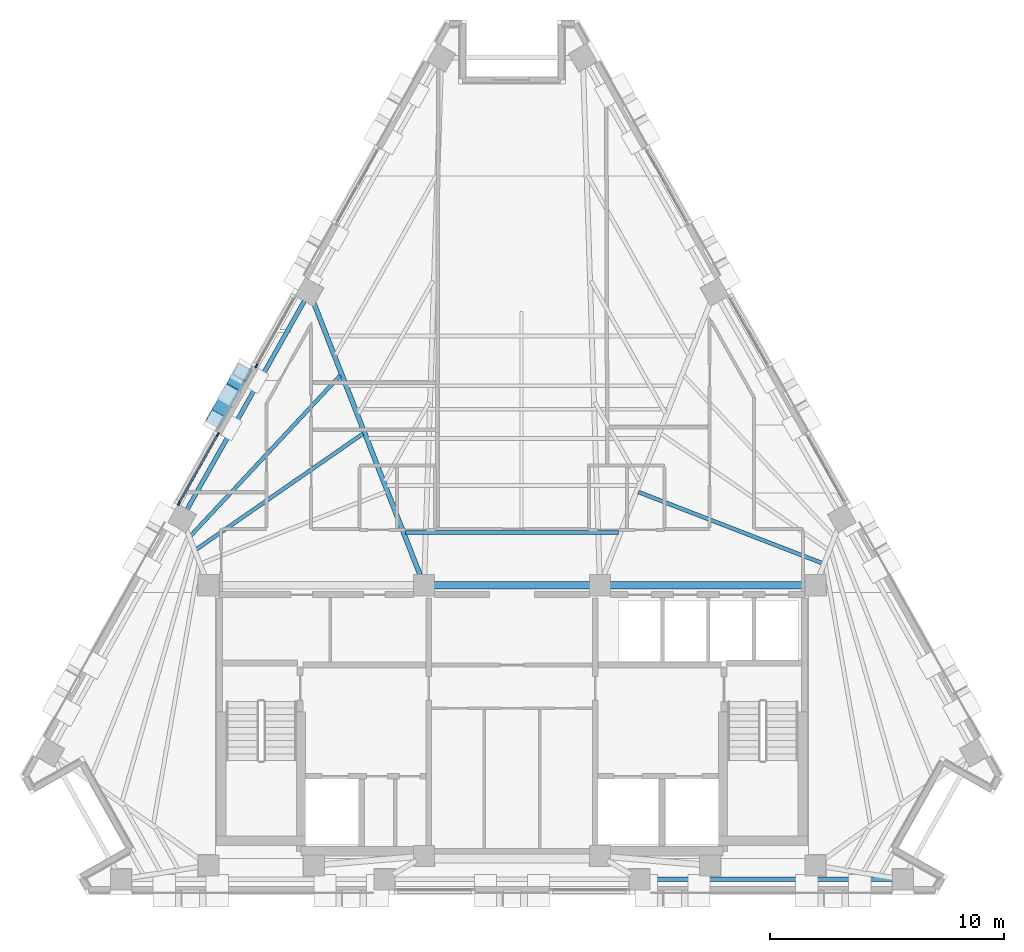
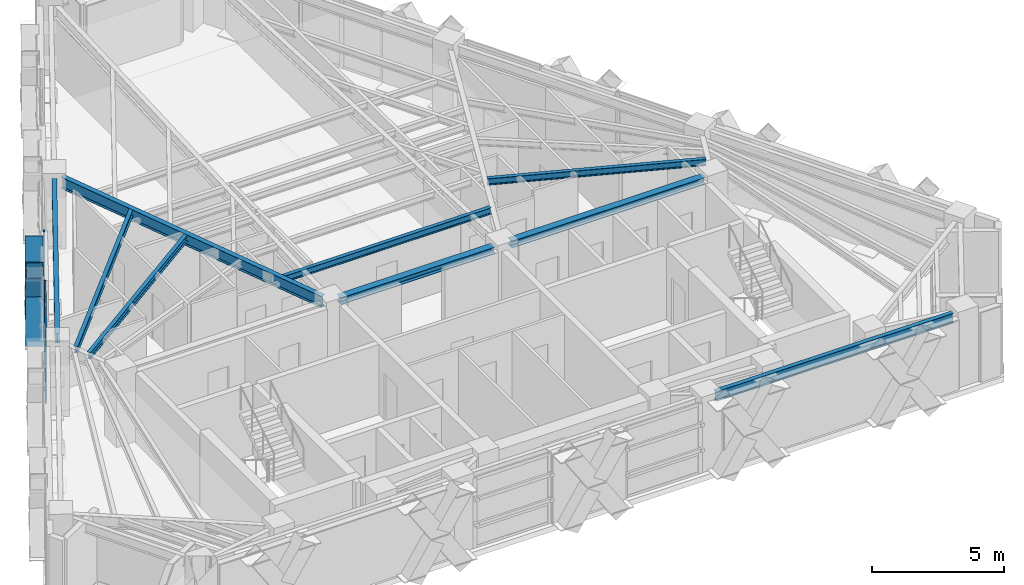
# One storey, part 3 of 13: 9 beams, 9 members, 2 elements without a shape of their own.
"""IFC4 building model written with IfcOpenShell, lengths in metres."""

from ifc_helpers import new_model, si_unit, direction, frame, origin, origin_2d, place, context, subcontext, project, spatial, rectangle, hollow_rectangle, i_section, extrude, material, material_profile, profile_set, type_object, element, aggregate, save


model = new_model("IFC4")

# Units and contexts
model_context = context("Model", 3, precision=1e-05, world=origin(), true_north=direction((0.0, 1.0)))
body_context = subcontext(model_context, "Body", "Model", "MODEL_VIEW")
ifc_project = project(units=[si_unit("LENGTHUNIT", "METRE"), si_unit("AREAUNIT", "SQUARE_METRE"), si_unit("VOLUMEUNIT", "CUBIC_METRE"), si_unit("PLANEANGLEUNIT", "RADIAN"), si_unit("MASSUNIT", "GRAM", prefix="KILO")], contexts=[model_context])

# Site, building, storey
site_placement = place(None, origin())
site = spatial("IfcSite", under=ifc_project, at=site_placement, CompositionType="ELEMENT")
building_placement = place(site_placement, origin())
building = spatial("IfcBuilding", under=site, at=building_placement, Name="Quenlor Broadcast Tower", CompositionType="ELEMENT")
storey_placement = place(building_placement, frame((0.0, 0.0, 214.89990234375)))
storey = spatial("IfcBuildingStorey", under=building, at=storey_placement, Name="L59", CompositionType="ELEMENT", Elevation=214.89990234375)

# Curtain wall, members
ifc_material_1 = material(Name="Architectural Terracotta and Low-E Glazing", Category="masonry")
curtain_wall_type = type_object("IfcCurtainWallType", Name="Unitised Terracotta Curtain Wall System Z4", PredefinedType="NOTDEFINED", material=ifc_material_1)
curtain_wall_1_placement = place(storey_placement, origin())
curtain_wall_1 = element("IfcCurtainWall", 1, at=curtain_wall_1_placement, inside=storey, type_object=curtain_wall_type, Name="L59 Curtain Wall CW4 (L59-NW-G1)", PredefinedType="NOTDEFINED")
ifc_material_2 = material(Name="Aluminium 6063-T6", Category="aluminium")
ifc_material_profile_1 = material_profile(ifc_material_2, rectangle(XDim=0.068115234375, YDim=0.179931640625, at=origin_2d()))
ifc_profile_set_1 = profile_set([ifc_material_profile_1], Name="Aluminium 6063-T6 MULL68x180")
member_type_1 = type_object("IfcMemberType", Name="CW4 Aluminium Mullion MULL_CW4", PredefinedType="MULLION", material=ifc_profile_set_1)
member_1_placement = place(storey_placement, frame((-14.20068359375, -1.3046875, 0.0), z_axis=(0.0, 0.0, 1.0), x_axis=(-0.871577871382, 0.490257089819, 0.0)))
member_1 = element("IfcMember", 2, at=member_1_placement, type_object=member_type_1, Name="CW4 mullion 1", PredefinedType="MULLION", context=body_context, shape_type="SweptSolid", body=[
    extrude(rectangle(XDim=0.068115234375, YDim=0.179931640625, at=origin_2d()), origin(), (0.0, 0.0, 1.0), 3.25),
])
member_2_placement = place(storey_placement, frame((-12.55126953125, 1.627685546875, 0.0), z_axis=(0.0, 0.0, 1.0), x_axis=(-0.871577871382, 0.490257089819, 0.0)))
member_2 = element("IfcMember", 3, at=member_2_placement, type_object=member_type_1, Name="CW4 mullion 2", PredefinedType="MULLION", context=body_context, shape_type="SweptSolid", body=[
    extrude(rectangle(XDim=0.068115234375, YDim=0.179931640625, at=origin_2d()), origin(), (0.0, 0.0, 1.0), 3.25),
])

# Curtain wall, member
curtain_wall_2_placement = place(storey_placement, origin())
curtain_wall_2 = element("IfcCurtainWall", 4, at=curtain_wall_2_placement, inside=storey, type_object=curtain_wall_type, Name="L59 Curtain Wall CW4 (L59-NW-G2)", PredefinedType="NOTDEFINED")
member_3_placement = place(storey_placement, frame((-10.906494140625, 4.5517578125, 0.0), z_axis=(0.0, 0.0, 1.0), x_axis=(-0.871577871382, 0.490257089819, 0.0)))
member_3 = element("IfcMember", 5, at=member_3_placement, type_object=member_type_1, Name="CW4 mullion 1", PredefinedType="MULLION", context=body_context, shape_type="SweptSolid", body=[
    extrude(rectangle(XDim=0.068115234375, YDim=0.179931640625, at=origin_2d()), origin(), (0.0, 0.0, 1.0), 3.25),
])
aggregate(curtain_wall_2, [member_3])

# Member
ifc_material_3 = material(Name="Aluminium 6063-T6", Category="aluminium")
ifc_material_profile_2 = material_profile(ifc_material_3, rectangle(XDim=0.068115234375, YDim=0.14990234375, at=origin_2d()))
ifc_profile_set_2 = profile_set([ifc_material_profile_2], Name="Aluminium 6063-T6 TRAN68x150")
member_type_2 = type_object("IfcMemberType", Name="CW4 Aluminium Transom TRAN_CW4", PredefinedType="USERDEFINED", material=ifc_profile_set_2)
member_4_placement = place(storey_placement, frame((-14.18408203125, -1.275146484375, 0.0341796875), z_axis=(0.490233108043, 0.871591360546, 0.0), x_axis=(-0.871591360546, 0.490233108043, 0.0)))
member_4 = element("IfcMember", 6, at=member_4_placement, type_object=member_type_2, Name="CW4 transom 1.1", ObjectType="TRANSOM", PredefinedType="USERDEFINED", context=body_context, shape_type="SweptSolid", body=[
    extrude(rectangle(XDim=0.068115234375, YDim=0.14990234375, at=origin_2d()), origin(), (0.0, 0.0, 1.0), 3.29638671875),
])

member_5_placement = place(storey_placement, frame((-14.18408203125, -1.275146484375, 0.9501953125), z_axis=(0.490233108043, 0.871591360546, 0.0), x_axis=(-0.871591360546, 0.490233108043, 0.0)))
member_5 = element("IfcMember", 7, at=member_5_placement, type_object=member_type_2, Name="CW4 transom 1.2", ObjectType="TRANSOM", PredefinedType="USERDEFINED", context=body_context, shape_type="SweptSolid", body=[
    extrude(rectangle(XDim=0.068115234375, YDim=0.14990234375, at=origin_2d()), origin(), (0.0, 0.0, 1.0), 3.29638671875),
])

member_6_placement = place(storey_placement, frame((-14.18408203125, -1.275146484375, 3.216064453125), z_axis=(0.490233108043, 0.871591360546, 0.0), x_axis=(-0.871591360546, 0.490233108043, 0.0)))
member_6 = element("IfcMember", 8, at=member_6_placement, type_object=member_type_2, Name="CW4 transom 1.3", ObjectType="TRANSOM", PredefinedType="USERDEFINED", context=body_context, shape_type="SweptSolid", body=[
    extrude(rectangle(XDim=0.068115234375, YDim=0.14990234375, at=origin_2d()), origin(), (0.0, 0.0, 1.0), 3.29638671875),
])

aggregate(curtain_wall_1, [member_1, member_2, member_4, member_5, member_6])

# Beams
ifc_material_4 = material(Name="Steel S355", Category="steel")
ifc_material_profile_3 = material_profile(ifc_material_4, i_section(OverallWidth=0.304931640625, OverallDepth=0.30810546875, WebThickness=0.010009765625, FlangeThickness=0.015380859375, FilletRadius=0.0166015625, at=origin_2d()))
ifc_profile_set_3 = profile_set([ifc_material_profile_3], Name="Steel S355 310UC96.8")
beam_type_1 = type_object("IfcBeamType", Name="Core Header Beam Steel S355 310UC96.8", PredefinedType="BEAM", material=ifc_profile_set_3)
beam_1_placement = place(storey_placement, frame((-3.389892578125, -4.800048828125, 3.09619140625), z_axis=(1.0, 0.0, 0.0), x_axis=(0.0, 1.0, 0.0)))
element("IfcBeam", 9, at=beam_1_placement, inside=storey, type_object=beam_type_1, Name="L59 Core Header Beam 2", PredefinedType="BEAM", context=body_context, shape_type="SweptSolid", body=[
    extrude(i_section(OverallWidth=0.304931640625, OverallDepth=0.30810546875, WebThickness=0.010009765625, FlangeThickness=0.015380859375, FilletRadius=0.0166015625, at=origin_2d()), origin(), (0.0, 0.0, 1.0), 6.77978515625),
])
ifc_material_5 = material(Name="Steel S355", Category="steel")
ifc_material_profile_4 = material_profile(ifc_material_5, i_section(OverallWidth=0.306884765625, OverallDepth=0.314697265625, WebThickness=0.011962890625, FlangeThickness=0.018798828125, FilletRadius=0.0166015625, at=origin_2d()))
ifc_profile_set_4 = profile_set([ifc_material_profile_4], Name="Steel S355 310UC118")
beam_type_2 = type_object("IfcBeamType", Name="Core Tie Beam Steel S355 310UC118", PredefinedType="BEAM", material=ifc_profile_set_4)
beam_2_placement = place(storey_placement, frame((4.110107421875, -4.800048828125, 3.0927734375), z_axis=(1.0, 0.0, 0.0), x_axis=(0.0, 1.0, 0.0)))
element("IfcBeam", 10, at=beam_2_placement, inside=storey, type_object=beam_type_2, Name="L59 Core Tie Beam 3", PredefinedType="BEAM", context=body_context, shape_type="SweptSolid", body=[
    extrude(i_section(OverallWidth=0.306884765625, OverallDepth=0.314697265625, WebThickness=0.011962890625, FlangeThickness=0.018798828125, FilletRadius=0.0166015625, at=origin_2d()), origin(), (0.0, 0.0, 1.0), 8.47998046875),
])

# Members
ifc_material_6 = material(Name="Steel S355", Category="steel")
ifc_material_profile_5 = material_profile(ifc_material_6, hollow_rectangle(XDim=0.679931640625, YDim=0.679931640625, WallThickness=0.02490234375, at=origin_2d()))
ifc_profile_set_5 = profile_set([ifc_material_profile_5], Name="Steel S355 RHS680x680x25")
member_type_3 = type_object("IfcMemberType", Name="Perimeter Diagonal Lattice Brace Z3-Z4 Steel S355 RHS680x25", PredefinedType="BRACE", material=ifc_profile_set_5)
member_7_placement = place(storey_placement, frame((-12.6376953125, 2.279541015625, -0.119873046875), z_axis=(0.269493020061, 0.479144022478, 0.835340959047), x_axis=(-0.871595351467, 0.490226012469, 0.0)))
element("IfcMember", 11, at=member_7_placement, inside=storey, type_object=member_type_3, Name="L59 Perimeter Diamond Lattice NW-C3XA", PredefinedType="BRACE", context=body_context, shape_type="SweptSolid", body=[
    extrude(hollow_rectangle(XDim=0.679931640625, YDim=0.679931640625, WallThickness=0.02490234375, at=origin_2d()), origin(), (0.0, 0.0, 1.0), 4.18994140625),
])
for number, where, z_axis, x_axis, name in (
    (12, (-11.508544921875, 4.287109375, -0.119873046875), (-0.269535527865, -0.479130165145, 0.835335192642), (0.871556252289, -0.490295522207, 0.0), "L59 Perimeter Diamond Lattice NW-C3XB1"),
    (13, (-12.140380859375, 3.16357421875, 1.8388671875), (-0.269535527865, -0.479130165145, 0.835335192642), (0.871556252289, -0.490295522207, 0.0), "L59 Perimeter Diamond Lattice NW-C3XB2"),
):
    element("IfcMember", number, at=place(storey_placement, frame(where, z_axis=z_axis, x_axis=x_axis)), inside=storey, type_object=member_type_3, Name=name, PredefinedType="BRACE", context=body_context, shape_type="SweptSolid", body=[
        extrude(hollow_rectangle(XDim=0.679931640625, YDim=0.679931640625, WallThickness=0.02490234375, at=origin_2d()), origin(), (0.0, 0.0, 1.0), 1.844970703125),
    ])

# Beams
ifc_material_7 = material(Name="Steel S355", Category="steel")
ifc_material_profile_6 = material_profile(ifc_material_7, i_section(OverallWidth=0.18994140625, OverallDepth=0.453857421875, WebThickness=0.008544921875, FlangeThickness=0.0126953125, FilletRadius=0.011474609375, at=origin_2d()))
ifc_profile_set_6 = profile_set([ifc_material_profile_6], Name="Steel S355 460UB67.1")
beam_type_3 = type_object("IfcBeamType", Name="Perimeter Spandrel Beam Z4 Steel S355 460UB67.1", PredefinedType="SPANDREL", material=ifc_profile_set_6)
beam_3_placement = place(storey_placement, frame((5.847900390625, -17.35009765625, 3.023193359375), z_axis=(1.0, 0.0, 0.0), x_axis=(0.0, 1.0, 0.0)))
element("IfcBeam", 14, at=beam_3_placement, inside=storey, type_object=beam_type_3, Name="L59 Spandrel Beam S3-S4", PredefinedType="SPANDREL", context=body_context, shape_type="SweptSolid", body=[
    extrude(i_section(OverallWidth=0.18994140625, OverallDepth=0.453857421875, WebThickness=0.008544921875, FlangeThickness=0.0126953125, FilletRadius=0.011474609375, at=origin_2d()), origin(), (0.0, 0.0, 1.0), 10.41796875),
])
beam_4_placement = place(storey_placement, frame((-8.840576171875, 7.357666015625, 3.023193359375), z_axis=(-0.490263496537, -0.871574267612, 0.0), x_axis=(0.871574267612, -0.490263496537, 0.0)))
element("IfcBeam", 15, at=beam_4_placement, inside=storey, type_object=beam_type_3, Name="L59 Spandrel Beam NW2-NW3", PredefinedType="SPANDREL", context=body_context, shape_type="SweptSolid", body=[
    extrude(i_section(OverallWidth=0.18994140625, OverallDepth=0.453857421875, WebThickness=0.008544921875, FlangeThickness=0.0126953125, FilletRadius=0.011474609375, at=origin_2d()), origin(), (0.0, 0.0, 1.0), 10.271728515625),
])
ifc_material_8 = material(Name="Steel S355", Category="steel")
ifc_material_profile_7 = material_profile(ifc_material_8, i_section(OverallWidth=0.166015625, OverallDepth=0.30712890625, WebThickness=0.006591796875, FlangeThickness=0.01171875, FilletRadius=0.011474609375, at=origin_2d()))
ifc_profile_set_7 = profile_set([ifc_material_profile_7], Name="Steel S355 310UB46.2")
beam_type_4 = type_object("IfcBeamType", Name="Tower Composite Joist Z4-Z5 Steel S355 310UB46.2", PredefinedType="JOIST", material=ifc_profile_set_7)
beam_5_placement = place(storey_placement, frame((-4.550048828125, -2.54736328125, 3.096435546875), z_axis=(1.0, 0.0, 0.0), x_axis=(0.0, 1.0, 0.0)))
element("IfcBeam", 16, at=beam_5_placement, inside=storey, type_object=beam_type_4, Name="L59 Secondary Composite Joist 1", PredefinedType="JOIST", context=body_context, shape_type="SweptSolid", body=[
    extrude(i_section(OverallWidth=0.166015625, OverallDepth=0.30712890625, WebThickness=0.006591796875, FlangeThickness=0.01171875, FilletRadius=0.011474609375, at=origin_2d()), origin(), (0.0, 0.0, 1.0), 9.10009765625),
])
beam_6_placement = place(storey_placement, frame((-13.470458984375, -3.273681640625, 3.096435546875), z_axis=(0.821539857981, 0.570151086773, 0.0), x_axis=(-0.570151086773, 0.821539857981, 0.0)))
element("IfcBeam", 17, at=beam_6_placement, inside=storey, type_object=beam_type_4, Name="L59 Secondary Composite Joist 8", PredefinedType="JOIST", context=body_context, shape_type="SweptSolid", body=[
    extrude(i_section(OverallWidth=0.166015625, OverallDepth=0.30712890625, WebThickness=0.006591796875, FlangeThickness=0.01171875, FilletRadius=0.011474609375, at=origin_2d()), origin(), (0.0, 0.0, 1.0), 8.656982421875),
])
beam_7_placement = place(storey_placement, frame((-13.707275390625, -2.691162109375, 3.096435546875), z_axis=(0.682034672805, 0.731319837754, 0.0), x_axis=(-0.731319837754, 0.682034672805, 0.0)))
element("IfcBeam", 18, at=beam_7_placement, inside=storey, type_object=beam_type_4, Name="L59 Secondary Composite Joist 9", PredefinedType="JOIST", context=body_context, shape_type="SweptSolid", body=[
    extrude(i_section(OverallWidth=0.166015625, OverallDepth=0.30712890625, WebThickness=0.006591796875, FlangeThickness=0.01171875, FilletRadius=0.011474609375, at=origin_2d()), origin(), (0.0, 0.0, 1.0), 9.357421875),
])
beam_8_placement = place(storey_placement, frame((13.236083984375, -3.85986328125, 3.096435546875), z_axis=(-0.932639299023, 0.360810113381, 0.0), x_axis=(-0.360810113381, -0.932639299023, 0.0)))
element("IfcBeam", 19, at=beam_8_placement, inside=storey, type_object=beam_type_4, Name="L59 Secondary Composite Joist 10", PredefinedType="JOIST", context=body_context, shape_type="SweptSolid", body=[
    extrude(i_section(OverallWidth=0.166015625, OverallDepth=0.30712890625, WebThickness=0.006591796875, FlangeThickness=0.01171875, FilletRadius=0.011474609375, at=origin_2d()), origin(), (0.0, 0.0, 1.0), 8.413330078125),
])
ifc_material_9 = material(Name="Steel S355", Category="steel")
ifc_material_profile_8 = material_profile(ifc_material_9, i_section(OverallWidth=0.208984375, OverallDepth=0.5283203125, WebThickness=0.009521484375, FlangeThickness=0.01318359375, FilletRadius=0.013916015625, at=origin_2d()))
ifc_profile_set_8 = profile_set([ifc_material_profile_8], Name="Steel S355 530UB82.0")
beam_type_5 = type_object("IfcBeamType", Name="Tower Primary Floor Beam Z4 Steel S355 530UB82.0", PredefinedType="BEAM", material=ifc_profile_set_8)
beam_9_placement = place(storey_placement, frame((-8.490478515625, 7.3330078125, 2.986083984375), z_axis=(0.363926160921, -0.931427801495, 0.0), x_axis=(0.931427801495, 0.363926160921, 0.0)))
element("IfcBeam", 20, at=beam_9_placement, inside=storey, type_object=beam_type_5, Name="L59 Primary Radial Beam NW2", PredefinedType="BEAM", context=body_context, shape_type="SweptSolid", body=[
    extrude(i_section(OverallWidth=0.208984375, OverallDepth=0.5283203125, WebThickness=0.009521484375, FlangeThickness=0.01318359375, FilletRadius=0.013916015625, at=origin_2d()), origin(), (0.0, 0.0, 1.0), 12.646240234375),
])

save(model, "model.ifc")
